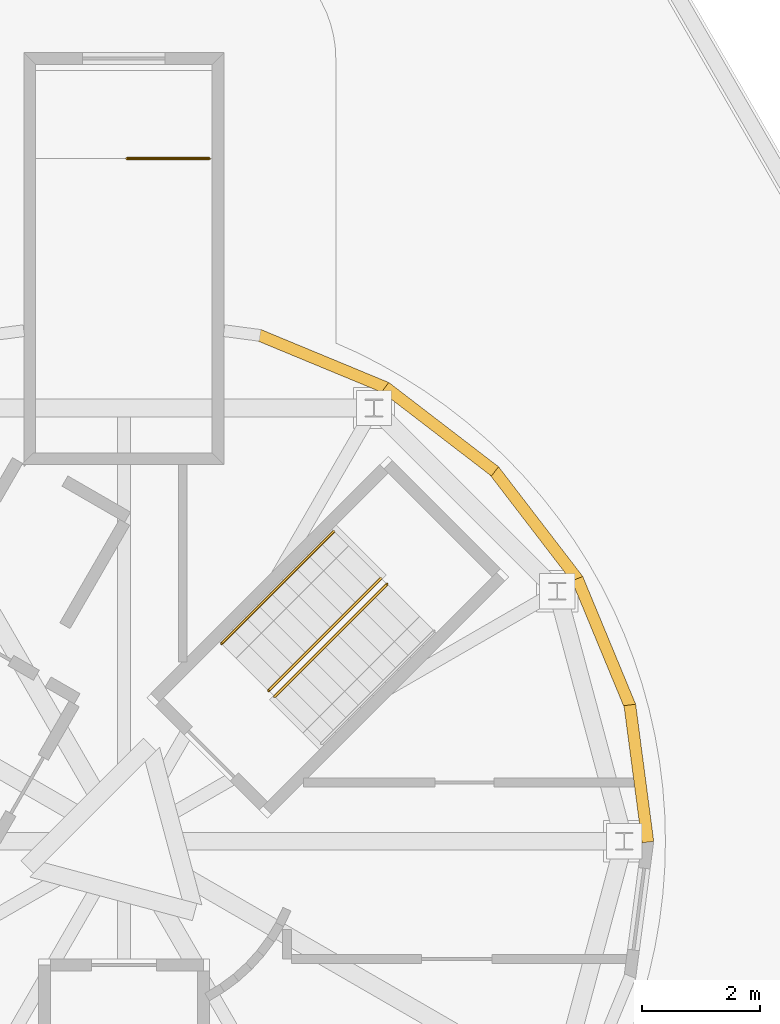
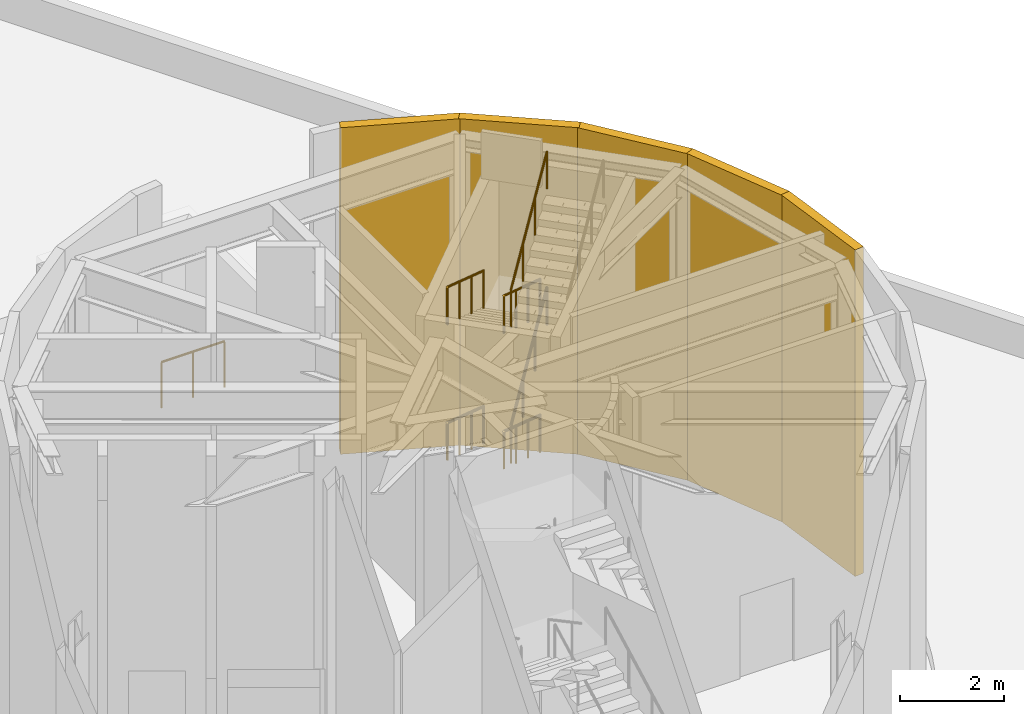
# One storey, part 7 of 7: 7 railings, 5 shading devices, 1 element without a shape of its own.
"""IFC4 building model written with IfcOpenShell, lengths in metres."""

from ifc_helpers import new_model, si_unit, direction, frame, frame_2d, origin, origin_2d, place, context, subcontext, project, spatial, rectangle, circle, extrude, material, layer, layer_set, type_object, element, aggregate, save


model = new_model("IFC4")

# Units and contexts
model_context = context("Model", 3, precision=1e-05, world=origin(), true_north=direction((0.0, 1.0)))
body_context = subcontext(model_context, "Body", "Model", "MODEL_VIEW")
ifc_project = project(units=[si_unit("LENGTHUNIT", "METRE"), si_unit("AREAUNIT", "SQUARE_METRE"), si_unit("VOLUMEUNIT", "CUBIC_METRE"), si_unit("PLANEANGLEUNIT", "RADIAN"), si_unit("MASSUNIT", "GRAM", prefix="KILO")], contexts=[model_context])

# Site, building, storey
site_placement = place(None, origin())
site = spatial("IfcSite", under=ifc_project, at=site_placement, CompositionType="ELEMENT")
building_placement = place(site_placement, origin())
building = spatial("IfcBuilding", under=site, at=building_placement, Name="Triada Interchange Tower", CompositionType="ELEMENT")
storey_placement = place(building_placement, frame((0.0, 0.0, 327.800048828125)))
storey = spatial("IfcBuildingStorey", under=building, at=storey_placement, Name="Roof", CompositionType="ELEMENT", Elevation=327.800048828125)

# Shading devices
ifc_material_1 = material(Name="Aluminium louvre cladding", Category="aluminium")
ifc_layer = layer(ifc_material_1, 0.199951171875, Name="Louvre blades and frame")
ifc_layer_set = layer_set([ifc_layer], Name="Plant drum louvre")
shading_device_type = type_object("IfcShadingDeviceType", Name="Plant drum louvre", PredefinedType="JALOUSIE", material=ifc_layer_set)
shading_device_1_placement = place(storey_placement, frame((8.902099609375, -0.012939453125, 0.0), z_axis=(0.0, 0.0, 1.0), x_axis=(-0.130693689283, 0.991422795573, 0.0)))
element("IfcShadingDevice", 1, at=shading_device_1_placement, inside=storey, type_object=shading_device_type, Name="Plant drum louvre wall 01", PredefinedType="JALOUSIE", context=body_context, shape_type="SweptSolid", body=[
    extrude(rectangle(XDim=2.35009765625, YDim=0.199951171875, at=frame_2d((1.175048828125, 0.0))), origin(), (0.0, 0.0, 1.0), 7.699951171875),
])
shading_device_2_placement = place(storey_placement, frame((8.60205078125, 2.291015625, 0.0), z_axis=(0.0, 0.0, 1.0), x_axis=(-0.382666848522, 0.92388640159, 0.0)))
element("IfcShadingDevice", 2, at=shading_device_2_placement, inside=storey, type_object=shading_device_type, Name="Plant drum louvre wall 02", PredefinedType="JALOUSIE", context=body_context, shape_type="SweptSolid", body=[
    extrude(rectangle(XDim=2.349853515625, YDim=0.199951171875, at=frame_2d((1.1748046875, 0.0))), origin(), (0.0, 0.0, 1.0), 7.699951171875),
])
for number, where, z_axis, x_axis, name in (
    (3, (7.716064453125, 4.43994140625, 0.0), (0.0, 0.0, 1.0), (-0.608987544077, 0.793179784891, 0.0), "Plant drum louvre wall 03"),
    (4, (6.303955078125, 6.284912109375, 0.0), (0.0, 0.0, 1.0), (-0.793179784891, 0.608987544077, 0.0), "Plant drum louvre wall 04"),
):
    element("IfcShadingDevice", number, at=place(storey_placement, frame(where, z_axis=z_axis, x_axis=x_axis)), inside=storey, type_object=shading_device_type, Name=name, PredefinedType="JALOUSIE", context=body_context, shape_type="SweptSolid", body=[
        extrude(rectangle(XDim=2.35009765625, YDim=0.199951171875, at=frame_2d((1.175048828125, 0.0))), origin(), (0.0, 0.0, 1.0), 7.699951171875),
    ])
shading_device_3_placement = place(storey_placement, frame((4.4619140625, 7.702880859375, 0.0), z_axis=(0.0, 0.0, 1.0), x_axis=(-0.92388640159, 0.382666848522, 0.0)))
element("IfcShadingDevice", 5, at=shading_device_3_placement, inside=storey, type_object=shading_device_type, Name="Plant drum louvre wall 05", PredefinedType="JALOUSIE", context=body_context, shape_type="SweptSolid", body=[
    extrude(rectangle(XDim=2.349853515625, YDim=0.199951171875, at=frame_2d((1.1748046875, 0.0))), origin(), (0.0, 0.0, 1.0), 7.699951171875),
])

# Railing
ifc_material_2 = material(Name="Stainless steel 1.4301", Category="steel")
railing_type_1 = type_object("IfcRailingType", Name="STAIR GUARD 1100", PredefinedType="GUARDRAIL", material=ifc_material_2)
railing_1_placement = place(storey_placement, frame((1.449951171875, 11.60009765625, 0.0)))
element("IfcRailing", 6, at=railing_1_placement, inside=storey, type_object=railing_type_1, Name="Guard head-house 1", PredefinedType="GUARDRAIL", context=body_context, shape_type="SweptSolid", body=[
    extrude(circle(Radius=0.02392578125, at=origin_2d()), frame((0.0, 0.0, 1.076171875), z_axis=(-1.0, 0.0, 0.0), x_axis=(0.0, -1.0, 0.0)), (0.0, 0.0, 1.0), 1.39990234375),
    extrude(circle(Radius=0.02099609375, at=origin_2d()), origin(), (0.0, 0.0, 1.0), 1.052001953125),
    extrude(circle(Radius=0.02099609375, at=origin_2d()), frame((-0.699951171875, 0.0, 0.0)), (0.0, 0.0, 1.0), 1.052001953125),
    extrude(circle(Radius=0.02099609375, at=origin_2d()), frame((-1.39990234375, 0.0, 0.0)), (0.0, 0.0, 1.0), 1.052001953125),
])

# Stair, railings
ifc_material_3 = material(Name="Concrete C35/45", Category="concrete")
stair_type = type_object("IfcStairType", Name="HALF TURN STAIR 1200", PredefinedType="HALF_TURN_STAIR", material=ifc_material_3)
stair_placement = place(storey_placement, origin())
stair = element("IfcStair", 7, at=stair_placement, inside=storey, type_object=stair_type, Name="Roof access stair RS1", PredefinedType="HALF_TURN_STAIR")
railing_type_2 = type_object("IfcRailingType", Name="STAIR HANDRAIL 900", PredefinedType="HANDRAIL", material=ifc_material_2)
railing_2_placement = place(storey_placement, frame((3.571044921875, 5.26806640625, 1.760009765625)))
railing_2 = element("IfcRailing", 8, at=railing_2_placement, type_object=railing_type_2, Name="Handrail RS1 2W", PredefinedType="HANDRAIL", context=body_context, shape_type="SweptSolid", body=[
    extrude(circle(Radius=0.02392578125, at=origin_2d()), frame((0.0, 0.0, 0.8759765625), z_axis=(-0.623874015956, -0.623953805445, 0.470598407227), x_axis=(0.707151994063, -0.707061565419, 0.0)), (0.0, 0.0, 1.0), 3.059814453125),
    extrude(circle(Radius=0.02099609375, at=origin_2d()), origin(), (0.0, 0.0, 1.0), 0.851806640625),
    extrude(circle(Radius=0.02099609375, at=origin_2d()), frame((-0.63623046875, -0.636474609375, 0.47998046875)), (0.0, 0.0, 1.0), 0.851806640625),
    extrude(circle(Radius=0.02099609375, at=origin_2d()), frame((-1.272705078125, -1.272705078125, 0.9599609375)), (0.0, 0.0, 1.0), 0.851806640625),
    extrude(circle(Radius=0.02099609375, at=origin_2d()), frame((-1.908935546875, -1.9091796875, 1.43994140625)), (0.0, 0.0, 1.0), 0.851806640625),
])
railing_3_placement = place(storey_placement, frame((4.3701171875, 4.468994140625, 1.760009765625)))
railing_3 = element("IfcRailing", 9, at=railing_3_placement, type_object=railing_type_2, Name="Handrail RS1 2C", PredefinedType="HANDRAIL", context=body_context, shape_type="SweptSolid", body=[
    extrude(circle(Radius=0.02392578125, at=origin_2d()), frame((0.0, 0.0, 0.8759765625), z_axis=(-0.623953805445, -0.623874015956, 0.470598407227), x_axis=(0.707061565419, -0.707151994063, 0.0)), (0.0, 0.0, 1.0), 3.059814453125),
    extrude(circle(Radius=0.02099609375, at=origin_2d()), origin(), (0.0, 0.0, 1.0), 0.851806640625),
    extrude(circle(Radius=0.02099609375, at=origin_2d()), frame((-0.636474609375, -0.63623046875, 0.47998046875)), (0.0, 0.0, 1.0), 0.851806640625),
    extrude(circle(Radius=0.02099609375, at=origin_2d()), frame((-1.272705078125, -1.272705078125, 0.9599609375)), (0.0, 0.0, 1.0), 0.851806640625),
    extrude(circle(Radius=0.02099609375, at=origin_2d()), frame((-1.9091796875, -1.908935546875, 1.43994140625)), (0.0, 0.0, 1.0), 0.851806640625),
])
railing_4_placement = place(storey_placement, frame((2.56005859375, 2.4609375, 3.35986328125)))
railing_4 = element("IfcRailing", 10, at=railing_4_placement, type_object=railing_type_2, Name="Handrail RS1 3C", PredefinedType="HANDRAIL", context=body_context, shape_type="SweptSolid", body=[
    extrude(circle(Radius=0.02392578125, at=origin_2d()), frame((0.0, 0.0, 0.8759765625), z_axis=(0.623850589565, 0.623930376058, 0.470660522809), x_axis=(-0.707151994063, 0.707061565419, 0.0)), (0.0, 0.0, 1.0), 3.059814453125),
    extrude(circle(Radius=0.02099609375, at=origin_2d()), origin(), (0.0, 0.0, 1.0), 0.851806640625),
    extrude(circle(Radius=0.02099609375, at=origin_2d()), frame((0.63623046875, 0.636474609375, 0.47998046875)), (0.0, 0.0, 1.0), 0.851806640625),
    extrude(circle(Radius=0.02099609375, at=origin_2d()), frame((1.272705078125, 1.272705078125, 0.960205078125)), (0.0, 0.0, 1.0), 0.851806640625),
    extrude(circle(Radius=0.02099609375, at=origin_2d()), frame((1.908935546875, 1.9091796875, 1.440185546875)), (0.0, 0.0, 1.0), 0.851806640625),
])
railing_5_placement = place(storey_placement, frame((3.571044921875, 5.26806640625, 4.9599609375)))
railing_5 = element("IfcRailing", 11, at=railing_5_placement, type_object=railing_type_2, Name="Handrail RS1 4W", PredefinedType="HANDRAIL", context=body_context, shape_type="SweptSolid", body=[
    extrude(circle(Radius=0.02392578125, at=origin_2d()), frame((0.0, 0.0, 0.8759765625), z_axis=(-0.623874015956, -0.623953805445, 0.470598407227), x_axis=(0.707151994063, -0.707061565419, 0.0)), (0.0, 0.0, 1.0), 3.059814453125),
    extrude(circle(Radius=0.02099609375, at=origin_2d()), origin(), (0.0, 0.0, 1.0), 0.851806640625),
    extrude(circle(Radius=0.02099609375, at=origin_2d()), frame((-0.63623046875, -0.636474609375, 0.47998046875)), (0.0, 0.0, 1.0), 0.851806640625),
    extrude(circle(Radius=0.02099609375, at=origin_2d()), frame((-1.272705078125, -1.272705078125, 0.9599609375)), (0.0, 0.0, 1.0), 0.851806640625),
    extrude(circle(Radius=0.02099609375, at=origin_2d()), frame((-1.908935546875, -1.9091796875, 1.43994140625)), (0.0, 0.0, 1.0), 0.851806640625),
])
railing_6_placement = place(storey_placement, frame((4.3701171875, 4.468994140625, 4.9599609375)))
railing_6 = element("IfcRailing", 12, at=railing_6_placement, type_object=railing_type_2, Name="Handrail RS1 4C", PredefinedType="HANDRAIL", context=body_context, shape_type="SweptSolid", body=[
    extrude(circle(Radius=0.02392578125, at=origin_2d()), frame((0.0, 0.0, 0.8759765625), z_axis=(-0.623953805445, -0.623874015956, 0.470598407227), x_axis=(0.707061565419, -0.707151994063, 0.0)), (0.0, 0.0, 1.0), 3.059814453125),
    extrude(circle(Radius=0.02099609375, at=origin_2d()), origin(), (0.0, 0.0, 1.0), 0.851806640625),
    extrude(circle(Radius=0.02099609375, at=origin_2d()), frame((-0.636474609375, -0.63623046875, 0.47998046875)), (0.0, 0.0, 1.0), 0.851806640625),
    extrude(circle(Radius=0.02099609375, at=origin_2d()), frame((-1.272705078125, -1.272705078125, 0.9599609375)), (0.0, 0.0, 1.0), 0.851806640625),
    extrude(circle(Radius=0.02099609375, at=origin_2d()), frame((-1.9091796875, -1.908935546875, 1.43994140625)), (0.0, 0.0, 1.0), 0.851806640625),
])
railing_7_placement = place(storey_placement, frame((2.56005859375, 2.4609375, 6.56005859375)))
railing_7 = element("IfcRailing", 13, at=railing_7_placement, type_object=railing_type_2, Name="Handrail RS1 5C", PredefinedType="HANDRAIL", context=body_context, shape_type="SweptSolid", body=[
    extrude(circle(Radius=0.02392578125, at=origin_2d()), frame((0.0, 0.0, 0.8759765625), z_axis=(0.623874015956, 0.623953805445, 0.470598407227), x_axis=(-0.707151994063, 0.707061565419, 0.0)), (0.0, 0.0, 1.0), 3.059814453125),
    extrude(circle(Radius=0.02099609375, at=origin_2d()), origin(), (0.0, 0.0, 1.0), 0.851806640625),
    extrude(circle(Radius=0.02099609375, at=origin_2d()), frame((0.63623046875, 0.636474609375, 0.47998046875)), (0.0, 0.0, 1.0), 0.851806640625),
    extrude(circle(Radius=0.02099609375, at=origin_2d()), frame((1.272705078125, 1.272705078125, 0.9599609375)), (0.0, 0.0, 1.0), 0.851806640625),
    extrude(circle(Radius=0.02099609375, at=origin_2d()), frame((1.908935546875, 1.9091796875, 1.43994140625)), (0.0, 0.0, 1.0), 0.851806640625),
])
aggregate(stair, [railing_2, railing_3, railing_4, railing_5, railing_6, railing_7])

save(model, "model.ifc")
